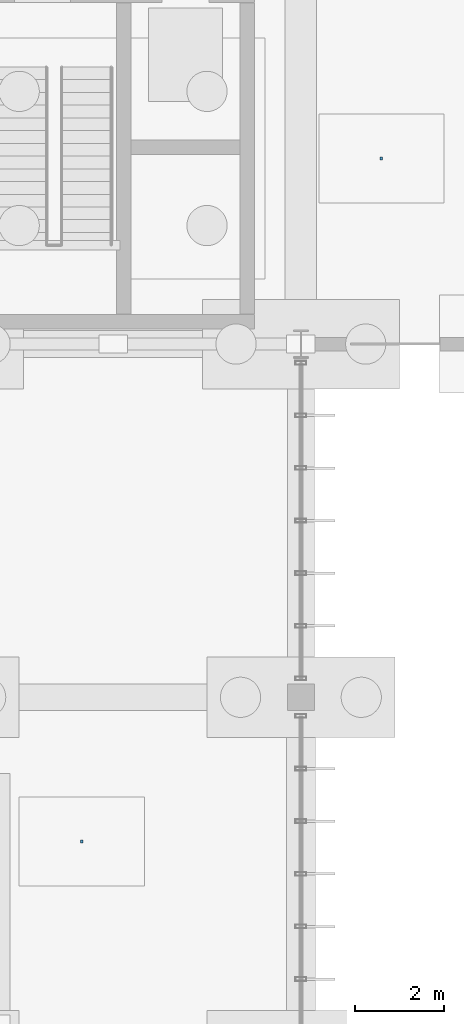
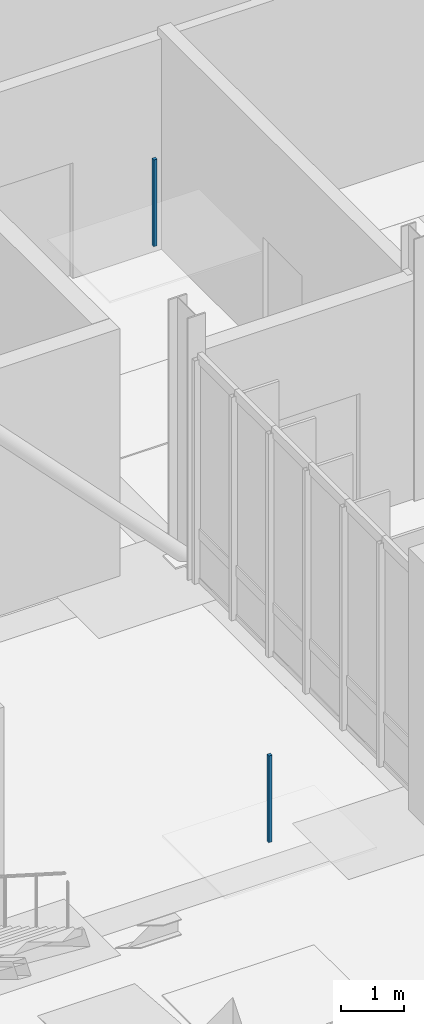
# One storey, part 95 of 119: 2 discrete accessories.
"""IFC4 building model written with IfcOpenShell, lengths in metres."""

from ifc_helpers import new_model, si_unit, derived_unit, direction, frame, origin, origin_2d, place, context, subcontext, project, spatial, rectangle, extrude, material, layer, layer_set, type_object, element, save


model = new_model("IFC4")

# Units and contexts
model_context = context("Model", 3, precision=1e-05, world=origin(), true_north=direction((0.0, 1.0)))
body_context = subcontext(model_context, "Body", "Model", "MODEL_VIEW")
ifc_project = project(units=[si_unit("LENGTHUNIT", "METRE"), si_unit("AREAUNIT", "SQUARE_METRE"), si_unit("VOLUMEUNIT", "CUBIC_METRE"), si_unit("PLANEANGLEUNIT", "RADIAN"), si_unit("MASSUNIT", "GRAM", prefix="KILO"), derived_unit("THERMALTRANSMITTANCEUNIT", [(si_unit("MASSUNIT", "GRAM", prefix="KILO"), 1), (si_unit("TIMEUNIT", "SECOND"), -3), (si_unit("THERMODYNAMICTEMPERATUREUNIT", "KELVIN"), -1)])], contexts=[model_context])

# Site, building, storey
site_placement = place(None, origin())
site = spatial("IfcSite", under=ifc_project, at=site_placement, CompositionType="ELEMENT")
building_placement = place(site_placement, origin())
building = spatial("IfcBuilding", under=site, at=building_placement, Name="Makaiwela Harbour Ferry Terminal", CompositionType="ELEMENT")
storey_placement = place(building_placement, origin())
storey = spatial("IfcBuildingStorey", under=building, at=storey_placement, Name="L00", CompositionType="ELEMENT", Elevation=0.0)

# Discrete accessories
ifc_material = material(Name="Marine grade 316L brushed stainless steel", Category="steel")
ifc_layer = layer(ifc_material, 1.0)
ifc_layer_set = layer_set([ifc_layer], Name="Marine grade 316L brushed stainless steel")
discrete_accessory_type = type_object("IfcDiscreteAccessoryType", Name="INT-ACC-HNG", PredefinedType="BRACKET", material=ifc_layer_set)
for number, where, z_axis, x_axis, name in (
    (1, (73.199951171875, 53.550048828125, 3.135009765625), (0.0, 0.0, 1.0), (1.0, 0.0, 0.0), "Ceiling Suspension Bracket HNG-011"),
    (2, (66.5, 38.27490234375, 3.135009765625), (0.0, 0.0, 1.0), (1.0, 0.0, 0.0), "Ceiling Suspension Bracket HNG-015"),
):
    element("IfcDiscreteAccessory", number, at=place(storey_placement, frame(where, z_axis=z_axis, x_axis=x_axis)), inside=storey, type_object=discrete_accessory_type, Name=name, PredefinedType="BRACKET", context=body_context, shape_type="SweptSolid", body=[
        extrude(rectangle(XDim=0.06005859375, YDim=0.06005859375, at=origin_2d()), origin(), (0.0, 0.0, 1.0), 1.68994140625),
    ])

save(model, "model.ifc")
